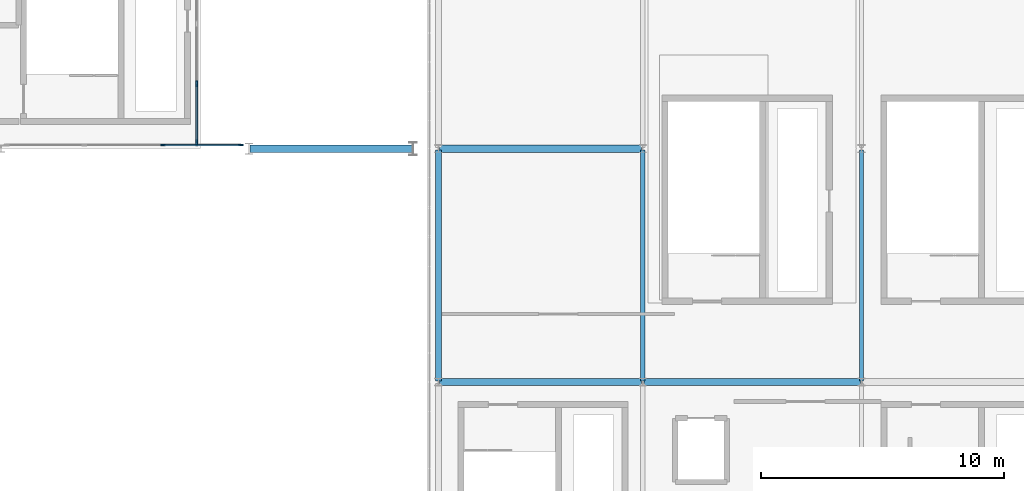
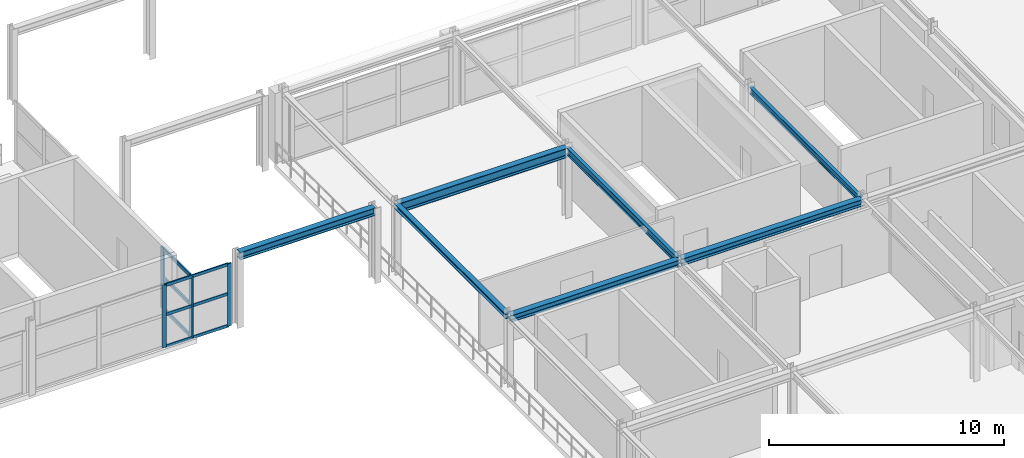
# One storey, part 16 of 52: 10 members, 7 beams, 2 elements without a shape of their own.
"""IFC4 building model written with IfcOpenShell, lengths in metres."""

from ifc_helpers import new_model, si_unit, direction, frame, origin, origin_2d, place, context, subcontext, project, spatial, rectangle, i_section, extrude, material, layer, layer_set, material_profile, profile_set, type_object, element, aggregate, save


model = new_model("IFC4")

# Units and contexts
model_context = context("Model", 3, precision=1e-05, world=origin(), true_north=direction((0.0, 1.0)))
body_context = subcontext(model_context, "Body", "Model", "MODEL_VIEW")
ifc_project = project(units=[si_unit("LENGTHUNIT", "METRE"), si_unit("AREAUNIT", "SQUARE_METRE"), si_unit("VOLUMEUNIT", "CUBIC_METRE"), si_unit("PLANEANGLEUNIT", "RADIAN"), si_unit("MASSUNIT", "GRAM", prefix="KILO")], contexts=[model_context])

# Site, building, storey
site_placement = place(None, origin())
site = spatial("IfcSite", under=ifc_project, at=site_placement, CompositionType="ELEMENT")
building_placement = place(site_placement, origin())
building = spatial("IfcBuilding", under=site, at=building_placement, Name="Myrtia Square Station", CompositionType="ELEMENT")
storey_placement = place(building_placement, frame((0.0, 0.0, 15.0)))
storey = spatial("IfcBuildingStorey", under=building, at=storey_placement, Name="L03", CompositionType="ELEMENT", Elevation=15.0)

# Beams
ifc_material_1 = material(Name="Steel S355", Category="steel")
ifc_material_profile_1 = material_profile(ifc_material_1, i_section(OverallWidth=0.300048828125, OverallDepth=0.35009765625, WebThickness=0.010009765625, FlangeThickness=0.017578125, FilletRadius=0.027099609375, at=origin_2d()), Name="HEA 360")
ifc_profile_set_1 = profile_set([ifc_material_profile_1], Name="Steel S355")
beam_type_1 = type_object("IfcBeamType", Name="BM-HEA360", PredefinedType="BEAM", material=ifc_profile_set_1)
beam_1_placement = place(storey_placement, frame((117.64990234375, 19.199951171875, 3.47998046875), z_axis=(1.0, 0.0, 0.0), x_axis=(0.0, 1.0, 0.0)))
element("IfcBeam", 1, at=beam_1_placement, inside=storey, type_object=beam_type_1, Name="Structural girder BMX-L03-0810", PredefinedType="BEAM", context=body_context, shape_type="SweptSolid", body=[
    extrude(i_section(OverallWidth=0.300048828125, OverallDepth=0.35009765625, WebThickness=0.010009765625, FlangeThickness=0.017578125, FilletRadius=0.027099609375, at=origin_2d()), origin(), (0.0, 0.0, 1.0), 8.300048828125),
])
beam_2_placement = place(storey_placement, frame((126.050048828125, 19.199951171875, 3.47998046875), z_axis=(1.0, 0.0, 0.0), x_axis=(0.0, 1.0, 0.0)))
element("IfcBeam", 2, at=beam_2_placement, inside=storey, type_object=beam_type_1, Name="Structural girder BMX-L03-0811", PredefinedType="BEAM", context=body_context, shape_type="SweptSolid", body=[
    extrude(i_section(OverallWidth=0.300048828125, OverallDepth=0.35009765625, WebThickness=0.010009765625, FlangeThickness=0.017578125, FilletRadius=0.027099609375, at=origin_2d()), origin(), (0.0, 0.0, 1.0), 8.89990234375),
])
ifc_material_profile_2 = material_profile(ifc_material_1, i_section(OverallWidth=0.300048828125, OverallDepth=0.39990234375, WebThickness=0.013427734375, FlangeThickness=0.02392578125, FilletRadius=0.027099609375, at=origin_2d()), Name="HEB 400")
ifc_profile_set_2 = profile_set([ifc_material_profile_2], Name="Steel S355")
beam_type_2 = type_object("IfcBeamType", Name="BM-HEB400", PredefinedType="BEAM", material=ifc_profile_set_2)
beam_3_placement = place(storey_placement, frame((109.85009765625, 28.800048828125, 3.64990234375), z_axis=(1.0, 0.0, 0.0), x_axis=(0.0, 1.0, 0.0)))
element("IfcBeam", 3, at=beam_3_placement, inside=storey, type_object=beam_type_2, Name="Colonnade overhang tie beam 002", PredefinedType="BEAM", context=body_context, shape_type="SweptSolid", body=[
    extrude(i_section(OverallWidth=0.300048828125, OverallDepth=0.39990234375, WebThickness=0.013427734375, FlangeThickness=0.02392578125, FilletRadius=0.027099609375, at=origin_2d()), origin(), (0.0, 0.0, 1.0), 6.64990234375),
])
ifc_material_profile_3 = material_profile(ifc_material_1, i_section(OverallWidth=0.300048828125, OverallDepth=0.5, WebThickness=0.014404296875, FlangeThickness=0.028076171875, FilletRadius=0.027099609375, at=origin_2d()), Name="HEB 500")
ifc_profile_set_3 = profile_set([ifc_material_profile_3], Name="Steel S355")
beam_type_3 = type_object("IfcBeamType", Name="BM-HEB500", PredefinedType="BEAM", material=ifc_profile_set_3)
beam_4_placement = place(storey_placement, frame((117.64990234375, 28.800048828125, 3.405029296875), z_axis=(1.0, 0.0, 0.0), x_axis=(0.0, 1.0, 0.0)))
element("IfcBeam", 4, at=beam_4_placement, inside=storey, type_object=beam_type_3, Name="Structural girder BMX-L03-0813", PredefinedType="BEAM", context=body_context, shape_type="SweptSolid", body=[
    extrude(i_section(OverallWidth=0.300048828125, OverallDepth=0.5, WebThickness=0.014404296875, FlangeThickness=0.028076171875, FilletRadius=0.027099609375, at=origin_2d()), origin(), (0.0, 0.0, 1.0), 8.300048828125),
])
ifc_material_profile_4 = material_profile(ifc_material_1, i_section(OverallWidth=0.159912109375, OverallDepth=0.330078125, WebThickness=0.007568359375, FlangeThickness=0.011474609375, FilletRadius=0.01806640625, at=origin_2d()), Name="IPE 330")
ifc_profile_set_4 = profile_set([ifc_material_profile_4], Name="Steel S355")
beam_type_4 = type_object("IfcBeamType", Name="BM-IPE330", PredefinedType="BEAM", material=ifc_profile_set_4)
beam_5_placement = place(storey_placement, frame((135.0, 19.25, 3.489990234375), z_axis=(0.0, 1.0, 0.0), x_axis=(-1.0, 0.0, 0.0)))
element("IfcBeam", 5, at=beam_5_placement, inside=storey, type_object=beam_type_4, Name="Structural girder BMY-L03-0820", PredefinedType="BEAM", context=body_context, shape_type="SweptSolid", body=[
    extrude(i_section(OverallWidth=0.159912109375, OverallDepth=0.330078125, WebThickness=0.007568359375, FlangeThickness=0.011474609375, FilletRadius=0.01806640625, at=origin_2d()), origin(), (0.0, 0.0, 1.0), 9.5),
])
ifc_material_profile_5 = material_profile(ifc_material_1, i_section(OverallWidth=0.169921875, OverallDepth=0.360107421875, WebThickness=0.008056640625, FlangeThickness=0.0126953125, FilletRadius=0.01806640625, at=origin_2d()), Name="IPE 360")
ifc_profile_set_5 = profile_set([ifc_material_profile_5], Name="Steel S355")
beam_type_5 = type_object("IfcBeamType", Name="BM-IPE360", PredefinedType="BEAM", material=ifc_profile_set_5)
beam_6_placement = place(storey_placement, frame((126.0, 19.25, 3.47509765625), z_axis=(0.0, 1.0, 0.0), x_axis=(-1.0, 0.0, 0.0)))
element("IfcBeam", 6, at=beam_6_placement, inside=storey, type_object=beam_type_5, Name="Structural girder BMY-L03-0816", PredefinedType="BEAM", context=body_context, shape_type="SweptSolid", body=[
    extrude(i_section(OverallWidth=0.169921875, OverallDepth=0.360107421875, WebThickness=0.008056640625, FlangeThickness=0.0126953125, FilletRadius=0.01806640625, at=origin_2d()), origin(), (0.0, 0.0, 1.0), 9.5),
])

# Curtain wall, members
ifc_material_2 = material(Name="Dark bronze anodised aluminium", Category="aluminium")
ifc_layer_1 = layer(ifc_material_2, 0.159912109375, Name="Dark bronze anodised aluminium")
ifc_layer_set_1 = layer_set([ifc_layer_1], Name="Dark bronze anodised aluminium")
curtain_wall_type_1 = type_object("IfcCurtainWallType", Name="CW-TYPE-17-970x325", PredefinedType="USERDEFINED", material=ifc_layer_set_1)
curtain_wall_1_placement = place(storey_placement, origin())
curtain_wall_1 = element("IfcCurtainWall", 7, at=curtain_wall_1_placement, inside=storey, type_object=curtain_wall_type_1, Name="Concourse curtain wall CW-L03-057", ObjectType="CONCOURSE CURTAIN WALL", PredefinedType="USERDEFINED")
ifc_material_profile_6 = material_profile(ifc_material_2, rectangle(XDim=0.06494140625, YDim=0.199951171875, at=origin_2d()), Name="ALU-M 65x200")
ifc_profile_set_6 = profile_set([ifc_material_profile_6], Name="Dark bronze anodised aluminium")
member_type_1 = type_object("IfcMemberType", Name="CWM-65x200", PredefinedType="MULLION", material=ifc_profile_set_6)
member_1_placement = place(storey_placement, frame((106.2666015625, 28.949951171875, 0.0), z_axis=(0.0, 0.0, 1.0), x_axis=(0.0, 1.0, 0.0)))
member_1 = element("IfcMember", 8, at=member_1_placement, type_object=member_type_1, Name="CW-057 mullion 3", PredefinedType="MULLION", context=body_context, shape_type="SweptSolid", body=[
    extrude(rectangle(XDim=0.06494140625, YDim=0.199951171875, at=origin_2d()), origin(), (0.0, 0.0, 1.0), 3.25),
])
member_2_placement = place(storey_placement, frame((109.467529296875, 28.949951171875, 0.0), z_axis=(0.0, 0.0, 1.0), x_axis=(0.0, 1.0, 0.0)))
member_2 = element("IfcMember", 9, at=member_2_placement, type_object=member_type_1, Name="CW-057 mullion 4", PredefinedType="MULLION", context=body_context, shape_type="SweptSolid", body=[
    extrude(rectangle(XDim=0.06494140625, YDim=0.199951171875, at=origin_2d()), origin(), (0.0, 0.0, 1.0), 3.25),
])

ifc_layer_2 = layer(ifc_material_2, 0.159912109375, Name="Dark bronze anodised aluminium")
ifc_layer_set_2 = layer_set([ifc_layer_2], Name="Dark bronze anodised aluminium")
curtain_wall_type_2 = type_object("IfcCurtainWallType", Name="CW-TYPE-08-740x320", PredefinedType="USERDEFINED", material=ifc_layer_set_2)
curtain_wall_2_placement = place(storey_placement, origin())
curtain_wall_2 = element("IfcCurtainWall", 10, at=curtain_wall_2_placement, inside=storey, type_object=curtain_wall_type_2, Name="Concourse curtain wall CW-L03-034", ObjectType="CONCOURSE CURTAIN WALL", PredefinedType="USERDEFINED")
ifc_material_profile_7 = material_profile(ifc_material_2, rectangle(XDim=0.074951171875, YDim=0.239990234375, at=origin_2d()), Name="ALU-M 75x240")
ifc_profile_set_7 = profile_set([ifc_material_profile_7], Name="Dark bronze anodised aluminium")
member_type_2 = type_object("IfcMemberType", Name="CWM-75x240", PredefinedType="MULLION", material=ifc_profile_set_7)
member_3_placement = place(storey_placement, frame((107.64990234375, 29.03759765625, 0.0), z_axis=(0.0, 0.0, 1.0), x_axis=(-1.0, 0.0, 0.0)))
member_3 = element("IfcMember", 11, at=member_3_placement, type_object=member_type_2, Name="CW-034 mullion 1", PredefinedType="MULLION", context=body_context, shape_type="SweptSolid", body=[
    extrude(rectangle(XDim=0.074951171875, YDim=0.239990234375, at=origin_2d()), origin(), (0.0, 0.0, 1.0), 3.199951171875),
])
member_4_placement = place(storey_placement, frame((107.64990234375, 31.466552734375, 0.0), z_axis=(0.0, 0.0, 1.0), x_axis=(-1.0, 0.0, 0.0)))
member_4 = element("IfcMember", 12, at=member_4_placement, type_object=member_type_2, Name="CW-034 mullion 2", PredefinedType="MULLION", context=body_context, shape_type="SweptSolid", body=[
    extrude(rectangle(XDim=0.074951171875, YDim=0.239990234375, at=origin_2d()), origin(), (0.0, 0.0, 1.0), 3.199951171875),
])

# Member
ifc_material_profile_8 = material_profile(ifc_material_2, rectangle(XDim=0.06494140625, YDim=0.14990234375, at=origin_2d()), Name="ALU-T 65x150")
ifc_profile_set_8 = profile_set([ifc_material_profile_8], Name="Dark bronze anodised aluminium")
member_type_3 = type_object("IfcMemberType", Name="CWT-65x150", PredefinedType="USERDEFINED", material=ifc_profile_set_8)
member_5_placement = place(storey_placement, frame((106.299072265625, 28.949951171875, 0.032470703125), z_axis=(1.0, 0.0, 0.0), x_axis=(0.0, 1.0, 0.0)))
member_5 = element("IfcMember", 13, at=member_5_placement, type_object=member_type_3, Name="CW-057 transom 3.1", ObjectType="TRANSOM", PredefinedType="USERDEFINED", context=body_context, shape_type="SweptSolid", body=[
    extrude(rectangle(XDim=0.06494140625, YDim=0.14990234375, at=origin_2d()), origin(), (0.0, 0.0, 1.0), 3.135986328125),
])

member_6_placement = place(storey_placement, frame((106.299072265625, 28.949951171875, 1.68994140625), z_axis=(1.0, 0.0, 0.0), x_axis=(0.0, 1.0, 0.0)))
member_6 = element("IfcMember", 14, at=member_6_placement, type_object=member_type_3, Name="CW-057 transom 3.2", ObjectType="TRANSOM", PredefinedType="USERDEFINED", context=body_context, shape_type="SweptSolid", body=[
    extrude(rectangle(XDim=0.06494140625, YDim=0.14990234375, at=origin_2d()), origin(), (0.0, 0.0, 1.0), 3.135986328125),
])

member_7_placement = place(storey_placement, frame((106.299072265625, 28.949951171875, 3.217529296875), z_axis=(1.0, 0.0, 0.0), x_axis=(0.0, 1.0, 0.0)))
member_7 = element("IfcMember", 15, at=member_7_placement, type_object=member_type_3, Name="CW-057 transom 3.3", ObjectType="TRANSOM", PredefinedType="USERDEFINED", context=body_context, shape_type="SweptSolid", body=[
    extrude(rectangle(XDim=0.06494140625, YDim=0.14990234375, at=origin_2d()), origin(), (0.0, 0.0, 1.0), 3.135986328125),
])

aggregate(curtain_wall_1, [member_1, member_2, member_5, member_6, member_7])

ifc_material_profile_9 = material_profile(ifc_material_2, rectangle(XDim=0.074951171875, YDim=0.179931640625, at=origin_2d()), Name="ALU-T 75x180")
ifc_profile_set_9 = profile_set([ifc_material_profile_9], Name="Dark bronze anodised aluminium")
member_type_4 = type_object("IfcMemberType", Name="CWT-75x180", PredefinedType="USERDEFINED", material=ifc_profile_set_9)
member_8_placement = place(storey_placement, frame((107.64990234375, 29.074951171875, 0.03759765625), z_axis=(0.0, 1.0, 0.0), x_axis=(-1.0, 0.0, 0.0)))
member_8 = element("IfcMember", 16, at=member_8_placement, type_object=member_type_4, Name="CW-034 transom 1.1", ObjectType="TRANSOM", PredefinedType="USERDEFINED", context=body_context, shape_type="SweptSolid", body=[
    extrude(rectangle(XDim=0.074951171875, YDim=0.179931640625, at=origin_2d()), origin(), (0.0, 0.0, 1.0), 2.354248046875),
])

member_9_placement = place(storey_placement, frame((107.64990234375, 29.074951171875, 1.6640625), z_axis=(0.0, 1.0, 0.0), x_axis=(-1.0, 0.0, 0.0)))
member_9 = element("IfcMember", 17, at=member_9_placement, type_object=member_type_4, Name="CW-034 transom 1.2", ObjectType="TRANSOM", PredefinedType="USERDEFINED", context=body_context, shape_type="SweptSolid", body=[
    extrude(rectangle(XDim=0.074951171875, YDim=0.179931640625, at=origin_2d()), origin(), (0.0, 0.0, 1.0), 2.354248046875),
])

member_10_placement = place(storey_placement, frame((107.64990234375, 29.074951171875, 3.16259765625), z_axis=(0.0, 1.0, 0.0), x_axis=(-1.0, 0.0, 0.0)))
member_10 = element("IfcMember", 18, at=member_10_placement, type_object=member_type_4, Name="CW-034 transom 1.3", ObjectType="TRANSOM", PredefinedType="USERDEFINED", context=body_context, shape_type="SweptSolid", body=[
    extrude(rectangle(XDim=0.074951171875, YDim=0.179931640625, at=origin_2d()), origin(), (0.0, 0.0, 1.0), 2.354248046875),
])

aggregate(curtain_wall_2, [member_3, member_4, member_8, member_9, member_10])

# Beam
ifc_material_profile_10 = material_profile(ifc_material_1, i_section(OverallWidth=0.239990234375, OverallDepth=0.239990234375, WebThickness=0.010009765625, FlangeThickness=0.01708984375, FilletRadius=0.02099609375, at=origin_2d()), Name="HEB 240")
ifc_profile_set_10 = profile_set([ifc_material_profile_10], Name="Steel S355")
beam_type_6 = type_object("IfcBeamType", Name="SPN-HEB240", PredefinedType="SPANDREL", material=ifc_profile_set_10)
beam_7_placement = place(storey_placement, frame((117.60009765625, 19.25, 3.534912109375), z_axis=(0.0, 1.0, 0.0), x_axis=(-1.0, 0.0, 0.0)))
element("IfcBeam", 19, at=beam_7_placement, inside=storey, type_object=beam_type_6, Name="Structural girder SPNY-L03-0233", PredefinedType="SPANDREL", context=body_context, shape_type="SweptSolid", body=[
    extrude(i_section(OverallWidth=0.239990234375, OverallDepth=0.239990234375, WebThickness=0.010009765625, FlangeThickness=0.01708984375, FilletRadius=0.02099609375, at=origin_2d()), origin(), (0.0, 0.0, 1.0), 9.5),
])

save(model, "model.ifc")
